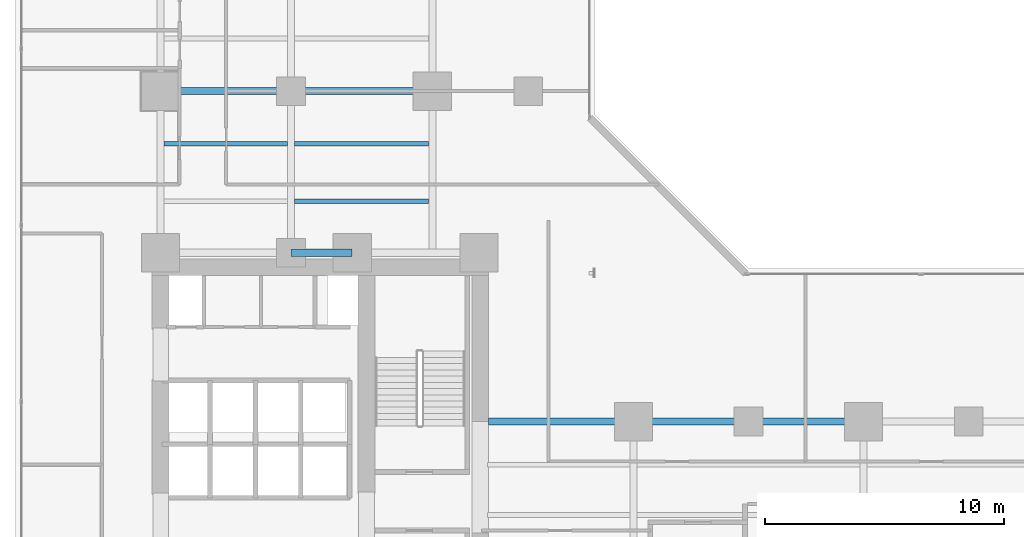
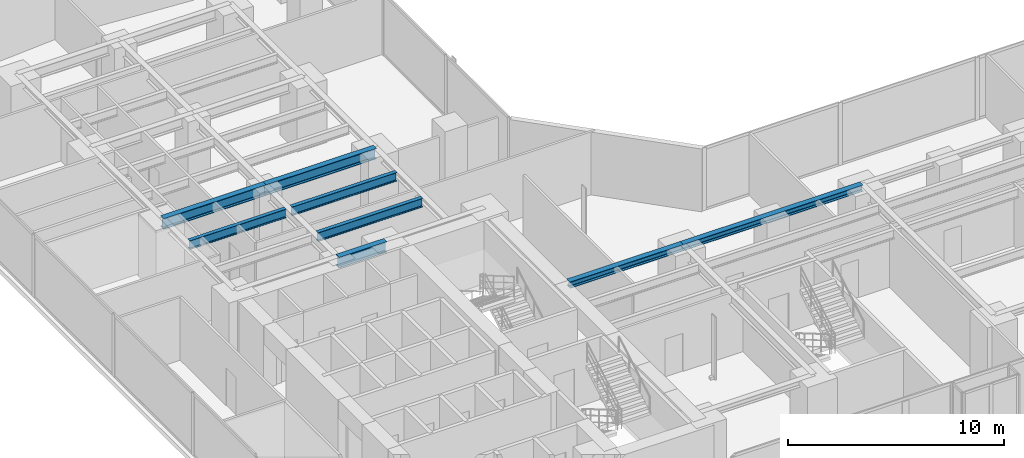
# One storey, part 7 of 31: 8 beams.
"""IFC4 building model written with IfcOpenShell, lengths in metres."""

import ifcopenshell
import ifcopenshell.guid

model = None  # the IFC model being written
_history = None  # IfcOwnerHistory: only IFC2X3 demands one
_inside = {}  # id of a spatial element -> (the spatial element, [elements in it])
_under = {}  # id of a project, library or spatial element -> (it, [spatial elements below it])
_declared = {}  # id of a project -> (the project, [libraries it declares])
_typed = {}  # id of a type object -> (the type object, [elements of that type])
_made_of = {}  # id of a material, layer set ... -> (it, [elements and type objects made of it])


def new_model(schema):
    """Start an empty IFC model of exactly this schema.

    Asked for "IFC4X3", IfcOpenShell would pick the latest addendum, in which some entities
    have other attributes; the version numbers below select the first issue.
    IFC2X3 requires an IfcOwnerHistory on every rooted entity: one is made here for all.
    """
    global model, _history
    if schema == "IFC4X3":
        model = ifcopenshell.file(schema_version=(4, 3, 0, 0))
    else:
        model = ifcopenshell.file(schema=schema)
    _inside.clear()
    _under.clear()
    _declared.clear()
    _typed.clear()
    _made_of.clear()
    _history = None
    if model.schema == "IFC2X3":
        org = make("IfcOrganization", Name="unknown")
        user = make(
            "IfcPersonAndOrganization",
            ThePerson=make("IfcPerson", FamilyName="unknown"),
            TheOrganization=org,
        )
        app = make(
            "IfcApplication",
            ApplicationDeveloper=org,
            Version="unknown",
            ApplicationFullName="unknown",
            ApplicationIdentifier="unknown",
        )
        _history = make(
            "IfcOwnerHistory",
            OwningUser=user,
            OwningApplication=app,
            ChangeAction="ADDED",
            CreationDate=0,
        )
    return model


def make(cls, **values):
    """One entity of the class cls with the attributes given. An attribute that is None is left unset."""
    return model.create_entity(
        cls, **{name: value for name, value in values.items() if value is not None}
    )


def rooted(cls, **values):
    """An entity with a GlobalId (a new one), such as an element, a storey or a relation."""
    return make(cls, GlobalId=ifcopenshell.guid.new(), OwnerHistory=_history, **values)


def si_unit(unit_type, name, prefix=None):
    """IfcSIUnit, for example si_unit("LENGTHUNIT", "METRE", prefix="MILLI")."""
    return make("IfcSIUnit", UnitType=unit_type, Prefix=prefix, Name=name)


def assignment(units):
    """IfcUnitAssignment: the units of a project."""
    return None if units is None else make("IfcUnitAssignment", Units=units)


def point(xyz):
    """IfcCartesianPoint."""
    return None if xyz is None else make("IfcCartesianPoint", Coordinates=xyz)


def direction(xyz):
    """IfcDirection."""
    return None if xyz is None else make("IfcDirection", DirectionRatios=xyz)


def frame(location, z_axis=None, x_axis=None):
    """IfcAxis2Placement3D, a coordinate frame: its origin and axes. An axis left out is left unset."""
    return make(
        "IfcAxis2Placement3D",
        Location=point(location),
        Axis=direction(z_axis),
        RefDirection=direction(x_axis),
    )


def frame_2d(location, x_axis=None):
    """IfcAxis2Placement2D, a coordinate frame in the plane: its origin and x axis."""
    return make(
        "IfcAxis2Placement2D", Location=point(location), RefDirection=direction(x_axis)
    )


def origin():
    """The frame at (0, 0, 0) with its axes left unset."""
    return frame((0.0, 0.0, 0.0))


def origin_2d():
    """The frame at (0, 0) in the plane with its x axis left unset."""
    return frame_2d((0.0, 0.0))


def place(relative_to, where):
    """IfcLocalPlacement: puts the frame where relative to a parent placement (None: the world)."""
    return make(
        "IfcLocalPlacement", PlacementRelTo=relative_to, RelativePlacement=where
    )


def context(
    kind, dimensions, precision=None, world=None, true_north=None, identifier=None
):
    """IfcGeometricRepresentationContext, for example the 3D "Model" context."""
    return make(
        "IfcGeometricRepresentationContext",
        ContextIdentifier=identifier,
        ContextType=kind,
        CoordinateSpaceDimension=dimensions,
        Precision=precision,
        WorldCoordinateSystem=world,
        TrueNorth=true_north,
    )


def subcontext(parent, identifier, kind, view, scale=None):
    """IfcGeometricRepresentationSubContext, for example "Body" below "Model"."""
    return make(
        "IfcGeometricRepresentationSubContext",
        ContextIdentifier=identifier,
        ContextType=kind,
        ParentContext=parent,
        TargetScale=scale,
        TargetView=view,
    )


def project(units=None, contexts=None):
    """IfcProject with its units and contexts."""
    return rooted(
        "IfcProject",
        Name="project",
        RepresentationContexts=contexts,
        UnitsInContext=assignment(units),
    )


def spatial(cls, under=None, at=None, **own):
    """A site, building, storey or space (cls), placed at a placement, below another one or the project."""
    s = rooted(cls, ObjectPlacement=at, **own)
    if under is not None:
        _under.setdefault(under.id(), (under, []))[1].append(s)
    return s


def profile(cls, at=None, kind="AREA", **sizes):
    """A parametric profile (cls). Its sizes go by their IFC names, for example OverallWidth=200.0."""
    return make(cls, ProfileType=kind, Position=at, **sizes)


def i_section(**sizes):
    """IfcIShapeProfileDef."""
    return profile("IfcIShapeProfileDef", **sizes)


def extrude(swept, where, along, depth):
    """IfcExtrudedAreaSolid: the profile swept, set in the frame where, extruded along a direction by depth."""
    return make(
        "IfcExtrudedAreaSolid",
        SweptArea=swept,
        Position=where,
        ExtrudedDirection=direction(along),
        Depth=depth,
    )


def shape(context_of_items, identifier, shape_type, items):
    """IfcShapeRepresentation: the items that make up one representation, for example the "Body"."""
    return make(
        "IfcShapeRepresentation",
        ContextOfItems=context_of_items,
        RepresentationIdentifier=identifier,
        RepresentationType=shape_type,
        Items=items,
    )


def material(Name=None, Category=None):
    """IfcMaterial."""
    return make("IfcMaterial", Name=Name, Category=Category)


def material_profile(
    of_material, cross_section, Name=None, Category=None, Priority=None
):
    """IfcMaterialProfile: a cross section and its material."""
    return make(
        "IfcMaterialProfile",
        Name=Name,
        Material=of_material,
        Profile=cross_section,
        Priority=Priority,
        Category=Category,
    )


def profile_set(profiles, Name=None, composite=None):
    """IfcMaterialProfileSet."""
    return make(
        "IfcMaterialProfileSet",
        Name=Name,
        MaterialProfiles=profiles,
        CompositeProfile=composite,
    )


def made_of(thing, what):
    """Note that an element or type object is made of a material, layer set ...; save() writes the relation."""
    if what is not None:
        _made_of.setdefault(what.id(), (what, []))[1].append(thing)
    return thing


def type_object(cls, material=None, **own):
    """A type object (cls), such as IfcWallType, which elements share."""
    return made_of(rooted(cls, **own), material)


def element(
    cls,
    number,
    at=None,
    inside=None,
    cuts=None,
    type_object=None,
    material=None,
    context=None,
    identifier="Body",
    shape_type=None,
    held_by="IfcProductDefinitionShape",
    body=None,
    shapes=None,
    **own,
):
    """One element of the class cls, such as IfcWall. Its Tag is "e" and its number.

    at: its placement. inside: the storey or other place that contains it. cuts: it is an
    opening in that element (IfcRelVoidsElement). A single representation is given by context,
    identifier, shape_type and body (its items); several are given by shapes. held_by: the class
    of the entity that holds the representations. save() writes the other relations.
    """
    e = rooted(cls, Tag="e%d" % number, ObjectPlacement=at, **own)
    if body is not None:
        shapes = [shape(context, identifier, shape_type, body)]
    if shapes is not None:
        e.Representation = make(held_by, Representations=shapes)
    if inside is not None:
        _inside.setdefault(inside.id(), (inside, []))[1].append(e)
    if cuts is not None:
        rooted(
            "IfcRelVoidsElement", RelatingBuildingElement=cuts, RelatedOpeningElement=e
        )
    if type_object is not None:
        _typed.setdefault(type_object.id(), (type_object, []))[1].append(e)
    return made_of(e, material)


def aggregate(whole, parts):
    """IfcRelAggregates: a whole, such as a stair, and the parts it consists of."""
    return rooted("IfcRelAggregates", RelatingObject=whole, RelatedObjects=parts)


def save(model, path):
    """Write the relations noted so far, then the file.

    IfcRelAggregates (storeys below a building ...), IfcRelContainedInSpatialStructure (elements
    in a storey), IfcRelDefinesByType, IfcRelAssociatesMaterial and IfcRelDeclares: one each for
    every whole, place, type object, material and project.
    """
    for whole, parts in _under.values():
        aggregate(whole, parts)
    for where, things in _inside.values():
        rooted(
            "IfcRelContainedInSpatialStructure",
            RelatedElements=things,
            RelatingStructure=where,
        )
    for kind, things in _typed.values():
        rooted("IfcRelDefinesByType", RelatedObjects=things, RelatingType=kind)
    for what, things in _made_of.values():
        rooted("IfcRelAssociatesMaterial", RelatedObjects=things, RelatingMaterial=what)
    for by, libraries in _declared.values():
        rooted("IfcRelDeclares", RelatingContext=by, RelatedDefinitions=libraries)
    model.write(path)


model = new_model("IFC4")

# Units and contexts
model_context = context("Model", 3, precision=1e-05, world=origin(), true_north=direction((0.0, 1.0)))
body_context = subcontext(model_context, "Body", "Model", "MODEL_VIEW")
ifc_project = project(units=[si_unit("LENGTHUNIT", "METRE"), si_unit("AREAUNIT", "SQUARE_METRE"), si_unit("VOLUMEUNIT", "CUBIC_METRE"), si_unit("PLANEANGLEUNIT", "RADIAN"), si_unit("MASSUNIT", "GRAM", prefix="KILO")], contexts=[model_context])

# Site, building, storey
site_placement = place(None, origin())
site = spatial("IfcSite", under=ifc_project, at=site_placement, CompositionType="ELEMENT")
building_placement = place(site_placement, origin())
building = spatial("IfcBuilding", under=site, at=building_placement, Name="Kolvaren Waterfront Exchange", CompositionType="ELEMENT")
storey_placement = place(building_placement, frame((0.0, 0.0, 67.60009765625)))
storey = spatial("IfcBuildingStorey", under=building, at=storey_placement, Name="L17", CompositionType="ELEMENT", Elevation=67.60009765625)

# Beams
ifc_material = material(Name="Steel S355", Category="steel")
ifc_material_profile_1 = material_profile(ifc_material, i_section(OverallWidth=0.300048828125, OverallDepth=0.360107421875, WebThickness=0.012451171875, FlangeThickness=0.0224609375, FilletRadius=0.027099609375, at=origin_2d()), Name="HEB360")
ifc_profile_set_1 = profile_set([ifc_material_profile_1], Name="Steel S355")
beam_type_1 = type_object("IfcBeamType", Name="STR-BM-HEB360", PredefinedType="SPANDREL", material=ifc_profile_set_1)
beam_1_placement = place(storey_placement, frame((21.14990234375, 17.39990234375, 3.35986328125), z_axis=(1.0, 0.0, 0.0), x_axis=(0.0, 1.0, 0.0)))
element("IfcBeam", 1, at=beam_1_placement, inside=storey, type_object=beam_type_1, Name="L17 east-arm spandrel N1", PredefinedType="SPANDREL", context=body_context, shape_type="SweptSolid", body=[
    extrude(i_section(OverallWidth=0.300048828125, OverallDepth=0.360107421875, WebThickness=0.012451171875, FlangeThickness=0.0224609375, FilletRadius=0.027099609375, at=origin_2d()), origin(), (0.0, 0.0, 1.0), 6.050048828125),
])
beam_2_placement = place(storey_placement, frame((27.199951171875, 17.39990234375, 3.35986328125), z_axis=(1.0, 0.0, 0.0), x_axis=(0.0, 1.0, 0.0)))
element("IfcBeam", 2, at=beam_2_placement, inside=storey, type_object=beam_type_1, Name="L17 east-arm spandrel N2", PredefinedType="SPANDREL", context=body_context, shape_type="SweptSolid", body=[
    extrude(i_section(OverallWidth=0.300048828125, OverallDepth=0.360107421875, WebThickness=0.012451171875, FlangeThickness=0.0224609375, FilletRadius=0.027099609375, at=origin_2d()), origin(), (0.0, 0.0, 1.0), 9.60009765625),
])
ifc_material_profile_2 = material_profile(ifc_material, i_section(OverallWidth=0.300048828125, OverallDepth=0.60009765625, WebThickness=0.015380859375, FlangeThickness=0.030029296875, FilletRadius=0.027099609375, at=origin_2d()), Name="HEB600")
ifc_profile_set_2 = profile_set([ifc_material_profile_2], Name="Steel S355")
beam_type_2 = type_object("IfcBeamType", Name="STR-BM-HEB600", PredefinedType="BEAM", material=ifc_profile_set_2)
beam_3_placement = place(storey_placement, frame((12.89990234375, 24.449951171875, 3.239990234375), z_axis=(1.0, 0.0, 0.0), x_axis=(0.0, 1.0, 0.0)))
element("IfcBeam", 3, at=beam_3_placement, inside=storey, type_object=beam_type_2, Name="L17 north-arm girder 1B", PredefinedType="BEAM", context=body_context, shape_type="SweptSolid", body=[
    extrude(i_section(OverallWidth=0.300048828125, OverallDepth=0.60009765625, WebThickness=0.015380859375, FlangeThickness=0.030029296875, FilletRadius=0.027099609375, at=origin_2d()), origin(), (0.0, 0.0, 1.0), 2.550048828125),
])
beam_4_placement = place(storey_placement, frame((7.449951171875, 31.199951171875, 3.239990234375), z_axis=(1.0, 0.0, 0.0), x_axis=(0.0, 1.0, 0.0)))
element("IfcBeam", 4, at=beam_4_placement, inside=storey, type_object=beam_type_2, Name="L17 north-arm girder 2A", PredefinedType="BEAM", context=body_context, shape_type="SweptSolid", body=[
    extrude(i_section(OverallWidth=0.300048828125, OverallDepth=0.60009765625, WebThickness=0.015380859375, FlangeThickness=0.030029296875, FilletRadius=0.027099609375, at=origin_2d()), origin(), (0.0, 0.0, 1.0), 5.449951171875),
])
beam_5_placement = place(storey_placement, frame((12.89990234375, 31.199951171875, 3.239990234375), z_axis=(1.0, 0.0, 0.0), x_axis=(0.0, 1.0, 0.0)))
element("IfcBeam", 5, at=beam_5_placement, inside=storey, type_object=beam_type_2, Name="L17 north-arm girder 2B", PredefinedType="BEAM", context=body_context, shape_type="SweptSolid", body=[
    extrude(i_section(OverallWidth=0.300048828125, OverallDepth=0.60009765625, WebThickness=0.015380859375, FlangeThickness=0.030029296875, FilletRadius=0.027099609375, at=origin_2d()), origin(), (0.0, 0.0, 1.0), 5.900146484375),
])
ifc_material_profile_3 = material_profile(ifc_material, i_section(OverallWidth=0.199951171875, OverallDepth=0.5, WebThickness=0.01025390625, FlangeThickness=0.01611328125, FilletRadius=0.02099609375, at=origin_2d()), Name="IPE500")
ifc_profile_set_3 = profile_set([ifc_material_profile_3], Name="Steel S355")
beam_type_3 = type_object("IfcBeamType", Name="STR-BM-IPE500", PredefinedType="JOIST", material=ifc_profile_set_3)
beam_6_placement = place(storey_placement, frame((13.052001953125, 26.60009765625, 3.289794921875), z_axis=(1.0, 0.0, 0.0), x_axis=(0.0, 1.0, 0.0)))
element("IfcBeam", 6, at=beam_6_placement, inside=storey, type_object=beam_type_3, Name="L17 north-arm composite joist 1B", PredefinedType="JOIST", context=body_context, shape_type="SweptSolid", body=[
    extrude(i_section(OverallWidth=0.199951171875, OverallDepth=0.5, WebThickness=0.01025390625, FlangeThickness=0.01611328125, FilletRadius=0.02099609375, at=origin_2d()), origin(), (0.0, 0.0, 1.0), 5.595947265625),
])
beam_7_placement = place(storey_placement, frame((7.60205078125, 29.0, 3.289794921875), z_axis=(1.0, 0.0, 0.0), x_axis=(0.0, 1.0, 0.0)))
element("IfcBeam", 7, at=beam_7_placement, inside=storey, type_object=beam_type_3, Name="L17 north-arm composite joist 2A", PredefinedType="JOIST", context=body_context, shape_type="SweptSolid", body=[
    extrude(i_section(OverallWidth=0.199951171875, OverallDepth=0.5, WebThickness=0.01025390625, FlangeThickness=0.01611328125, FilletRadius=0.02099609375, at=origin_2d()), origin(), (0.0, 0.0, 1.0), 5.14599609375),
])
beam_8_placement = place(storey_placement, frame((13.052001953125, 29.0, 3.289794921875), z_axis=(1.0, 0.0, 0.0), x_axis=(0.0, 1.0, 0.0)))
element("IfcBeam", 8, at=beam_8_placement, inside=storey, type_object=beam_type_3, Name="L17 north-arm composite joist 2B", PredefinedType="JOIST", context=body_context, shape_type="SweptSolid", body=[
    extrude(i_section(OverallWidth=0.199951171875, OverallDepth=0.5, WebThickness=0.01025390625, FlangeThickness=0.01611328125, FilletRadius=0.02099609375, at=origin_2d()), origin(), (0.0, 0.0, 1.0), 5.595947265625),
])

save(model, "model.ifc")
